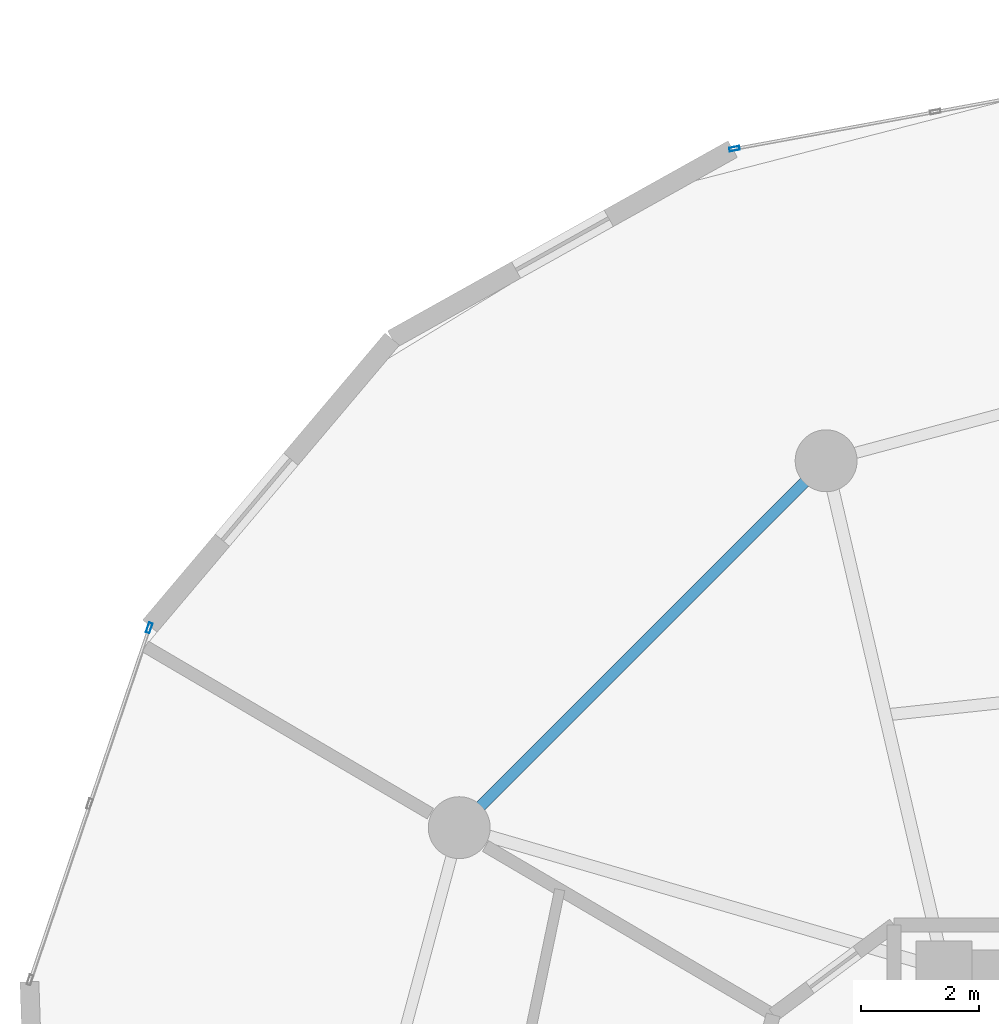
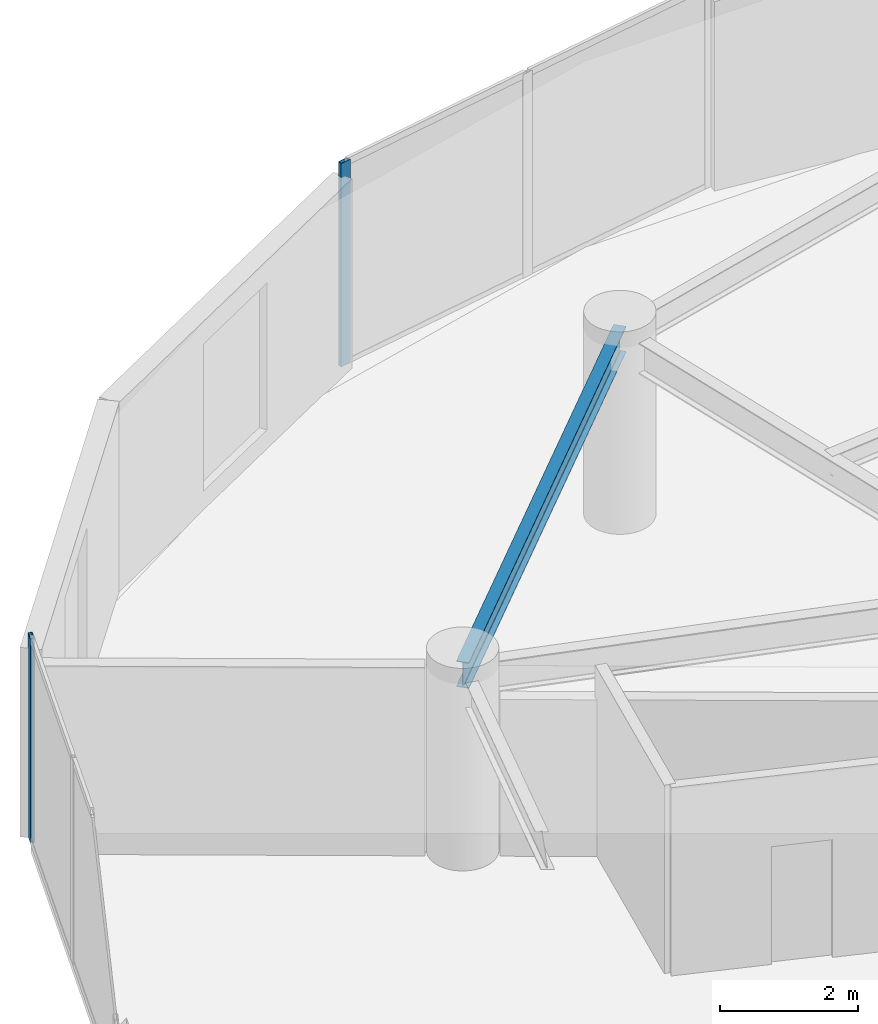
# One storey, part 13 of 23: 2 members, 1 beam, 2 elements without a shape of their own.
"""IFC4 building model written with IfcOpenShell, lengths in metres."""

from ifc_helpers import new_model, si_unit, direction, frame, origin, origin_2d, place, context, subcontext, project, spatial, hollow_rectangle, i_section, extrude, source, transform, mapped, material, layer, layer_set, material_profile, profile_set, type_object, element, aggregate, save


model = new_model("IFC4")

# Units and contexts
model_context = context("Model", 3, precision=1e-05, world=origin(), true_north=direction((0.0, 1.0)))
body_context = subcontext(model_context, "Body", "Model", "MODEL_VIEW")
ifc_project = project(units=[si_unit("LENGTHUNIT", "METRE"), si_unit("AREAUNIT", "SQUARE_METRE"), si_unit("VOLUMEUNIT", "CUBIC_METRE"), si_unit("PLANEANGLEUNIT", "RADIAN"), si_unit("MASSUNIT", "GRAM", prefix="KILO")], contexts=[model_context])

# Site, building, storey
site_placement = place(None, origin())
site = spatial("IfcSite", under=ifc_project, at=site_placement, CompositionType="ELEMENT")
building_placement = place(site_placement, origin())
building = spatial("IfcBuilding", under=site, at=building_placement, Name="Solvirekh Grand Hotel", CompositionType="ELEMENT")
storey_placement = place(building_placement, frame((0.0, 0.0, 109.800048828125)))
storey = spatial("IfcBuildingStorey", under=building, at=storey_placement, Name="L27", CompositionType="ELEMENT", Elevation=109.800048828125)

# Beam
ifc_material_1 = material(Name="Steel S355", Category="steel")
ifc_material_profile_1 = material_profile(ifc_material_1, i_section(OverallWidth=0.18994140625, OverallDepth=0.45703125, WebThickness=0.009033203125, FlangeThickness=0.013916015625, FilletRadius=0.012939453125, at=origin_2d()), Name="W460X74")
ifc_profile_set_1 = profile_set([ifc_material_profile_1], Name="Steel S355")
beam_type = type_object("IfcBeamType", Name="Spandrel_Ring_W460", PredefinedType="SPANDREL", material=ifc_profile_set_1)
beam_placement = place(storey_placement, frame((-8.5, 14.721923828125, 3.1220703125), z_axis=(-0.707106781187, -0.707106781187, 0.0), x_axis=(0.707106781187, -0.707106781187, 0.0)))
element("IfcBeam", 1, at=beam_placement, inside=storey, type_object=beam_type, Name="L27 perimeter spandrel beam 5", PredefinedType="SPANDREL", context=body_context, shape_type="SweptSolid", body=[
    extrude(i_section(OverallWidth=0.18994140625, OverallDepth=0.45703125, WebThickness=0.009033203125, FlangeThickness=0.013916015625, FilletRadius=0.012939453125, at=origin_2d()), origin(), (0.0, 0.0, 1.0), 8.799072265625),
])

# Curtain wall, member
ifc_material_2 = material(Name="Anodized Bronze Aluminium 6063-T6", Category="aluminium")
ifc_layer = layer(ifc_material_2, 0.175048828125)
ifc_layer_set = layer_set([ifc_layer], Name="Anodized Bronze Aluminium 6063-T6")
curtain_wall_type = type_object("IfcCurtainWallType", Name="CW_Sys3_MidZoneFlushBronzeCW", PredefinedType="NOTDEFINED", material=ifc_layer_set)
curtain_wall_1_placement = place(storey_placement, origin())
curtain_wall_1 = element("IfcCurtainWall", 2, at=curtain_wall_1_placement, inside=storey, type_object=curtain_wall_type, Name="L27 unitised bronze-glass curtain wall CW-L27-C08", PredefinedType="NOTDEFINED")
ifc_material_profile_2 = material_profile(ifc_material_2, hollow_rectangle(XDim=0.06494140625, YDim=0.175048828125, WallThickness=0.0048828125, at=origin_2d()), Name="ALU RHS 175X65X5")
ifc_profile_set_2 = profile_set([ifc_material_profile_2], Name="Anodized Bronze Aluminium 6063-T6")
member_type = type_object("IfcMemberType", Name="CWMullion_Sys3", PredefinedType="MULLION", material=ifc_profile_set_2)
shared_shape = source(origin(), body_context, "Body", "SweptSolid", [
    extrude(hollow_rectangle(XDim=0.06494140625, YDim=0.175048828125, WallThickness=0.0048828125, at=origin_2d()), origin(), (0.0, 0.0, 1.0), 3.599853515625),
])
member_1_placement = place(storey_placement, frame((-10.052978515625, 20.013916015625, 0.0), z_axis=(0.0, 0.0, 1.0), x_axis=(0.180987633873, -0.983485371719, 0.0)))
member_1 = element("IfcMember", 3, at=member_1_placement, type_object=member_type, Name="U03 mullion 3", PredefinedType="MULLION", context=body_context, shape_type="MappedRepresentation", body=[
    mapped(shared_shape, transform((0.0, 0.0, 0.0), x_axis=(1.0, 0.0, 0.0), y_axis=(0.0, 1.0, 0.0), z_axis=(0.0, 0.0, 1.0), scale=1.0)),
])
aggregate(curtain_wall_1, [member_1])

curtain_wall_2_placement = place(storey_placement, origin())
curtain_wall_2 = element("IfcCurtainWall", 4, at=curtain_wall_2_placement, inside=storey, type_object=curtain_wall_type, Name="L27 unitised bronze-glass curtain wall CW-L27-C11", PredefinedType="NOTDEFINED")
member_2_placement = place(storey_placement, frame((-19.9794921875, 11.88818359375, 0.0), z_axis=(0.0, 0.0, 1.0), x_axis=(0.947213035477, -0.320604843106, 0.0)))
member_2 = element("IfcMember", 5, at=member_2_placement, type_object=member_type, Name="U03 mullion 1", PredefinedType="MULLION", context=body_context, shape_type="MappedRepresentation", body=[
    mapped(shared_shape, transform((0.0, 0.0, 0.0), x_axis=(1.0, 0.0, 0.0), y_axis=(0.0, 1.0, 0.0), z_axis=(0.0, 0.0, 1.0), scale=1.0)),
])
aggregate(curtain_wall_2, [member_2])

save(model, "model.ifc")
